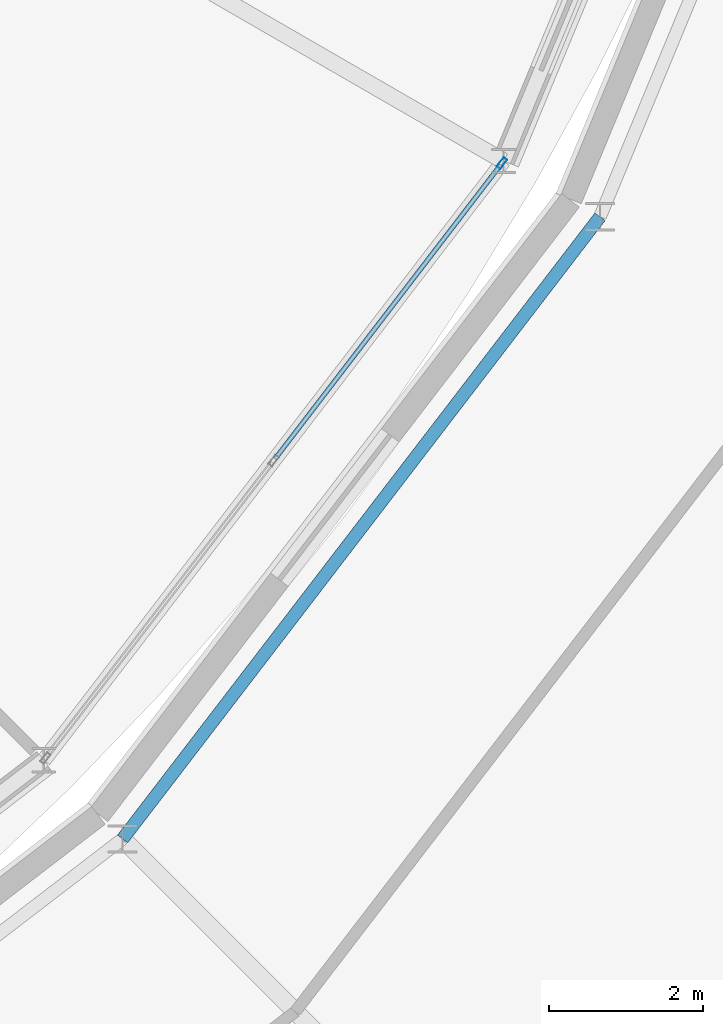
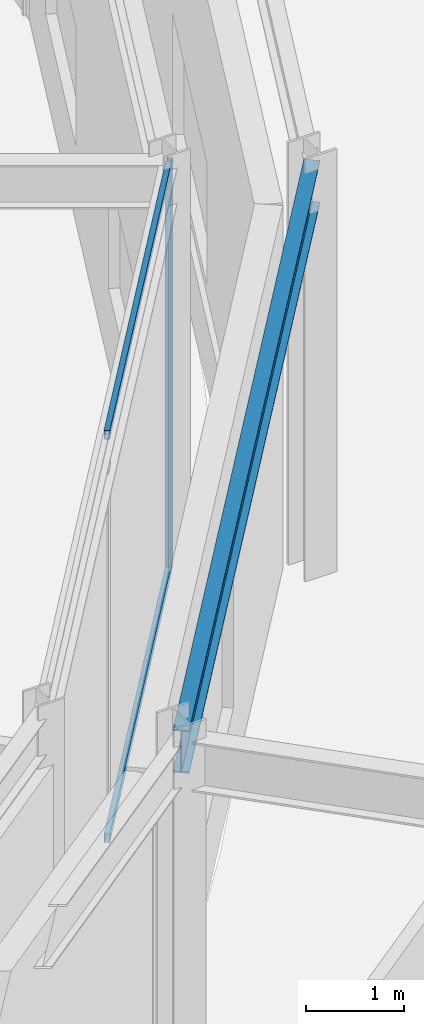
# One storey, part 52 of 168: 3 members, 1 beam, 1 element without a shape of its own.
"""IFC4 building model written with IfcOpenShell, lengths in metres."""

from ifc_helpers import new_model, si_unit, direction, frame, origin, origin_2d, place, context, subcontext, project, spatial, hollow_rectangle, i_section, extrude, material, material_profile, profile_set, type_object, element, aggregate, save


model = new_model("IFC4")

# Units and contexts
model_context = context("Model", 3, precision=1e-05, world=origin(), true_north=direction((0.0, 1.0)))
body_context = subcontext(model_context, "Body", "Model", "MODEL_VIEW")
ifc_project = project(units=[si_unit("LENGTHUNIT", "METRE"), si_unit("AREAUNIT", "SQUARE_METRE"), si_unit("VOLUMEUNIT", "CUBIC_METRE"), si_unit("PLANEANGLEUNIT", "RADIAN"), si_unit("MASSUNIT", "GRAM", prefix="KILO")], contexts=[model_context])

# Site, building, storey
site_placement = place(None, origin())
site = spatial("IfcSite", under=ifc_project, at=site_placement, CompositionType="ELEMENT")
building_placement = place(site_placement, origin())
building = spatial("IfcBuilding", under=site, at=building_placement, Name="Almandine Court Research Institute", CompositionType="ELEMENT")
storey_placement = place(building_placement, origin())
storey = spatial("IfcBuildingStorey", under=building, at=storey_placement, Name="L00", CompositionType="ELEMENT", Elevation=0.0)

# Beam
ifc_material_1 = material(Name="Steel ASTM A992 Grade 50", Category="steel")
ifc_material_profile_1 = material_profile(ifc_material_1, i_section(OverallWidth=0.166015625, OverallDepth=0.534912109375, WebThickness=0.010009765625, FlangeThickness=0.01708984375, at=origin_2d()), Name="W530x85")
ifc_profile_set_1 = profile_set([ifc_material_profile_1], Name="Steel ASTM A992 Grade 50")
beam_type = type_object("IfcBeamType", Name="Beam-G-05-E", PredefinedType="SPANDREL", material=ifc_profile_set_1)
beam_placement = place(storey_placement, frame((114.64794921875, 28.35205078125, 4.802978515625), z_axis=(0.608784478787, 0.793335653042, 0.0), x_axis=(-0.793335653042, 0.608784478787, 0.0)))
element("IfcBeam", 1, at=beam_placement, inside=storey, type_object=beam_type, Name="L00 Drum IN Ring Beam 21", PredefinedType="SPANDREL", context=body_context, shape_type="SweptSolid", body=[
    extrude(i_section(OverallWidth=0.166015625, OverallDepth=0.534912109375, WebThickness=0.010009765625, FlangeThickness=0.01708984375, at=origin_2d()), origin(), (0.0, 0.0, 1.0), 10.20751953125),
])

# Curtain wall, members
ifc_material_2 = material(Name="Unitised Curtain Wall Framing and Solar Glazing", Category="glass")
curtain_wall_type = type_object("IfcCurtainWallType", Name="CW-CWG-23", PredefinedType="USERDEFINED", material=ifc_material_2)
curtain_wall_placement = place(storey_placement, origin())
curtain_wall = element("IfcCurtainWall", 2, at=curtain_wall_placement, inside=storey, type_object=curtain_wall_type, Name="L00 Interaction Atrium Perimeter Curtain Wall 21", ObjectType="UNITISED GLAZING", PredefinedType="USERDEFINED")
ifc_material_3 = material(Name="Anodised Aluminium AW-6063-T6", Category="aluminium")
ifc_material_profile_2 = material_profile(ifc_material_3, hollow_rectangle(XDim=0.06005859375, YDim=0.14990234375, WallThickness=0.00390625, at=origin_2d()), Name="ALU RHS 60x150x4")
ifc_profile_set_2 = profile_set([ifc_material_profile_2], Name="Anodised Aluminium AW-6063-T6")
member_type_1 = type_object("IfcMemberType", Name="CWMul-60x150", PredefinedType="MULLION", material=ifc_profile_set_2)
member_1_placement = place(storey_placement, frame((119.585693359375, 37.148193359375, 0.0), z_axis=(0.0, 0.0, 1.0), x_axis=(0.793353924979, -0.608760667029, 0.0)))
member_1 = element("IfcMember", 3, at=member_1_placement, type_object=member_type_1, Name="CWG-23 mullion 1", PredefinedType="MULLION", context=body_context, shape_type="SweptSolid", body=[
    extrude(hollow_rectangle(XDim=0.06005859375, YDim=0.14990234375, WallThickness=0.00390625, at=origin_2d()), origin(), (0.0, 0.0, 1.0), 5.070068359375),
])
ifc_material_profile_3 = material_profile(ifc_material_3, hollow_rectangle(XDim=0.06005859375, YDim=0.110107421875, WallThickness=0.00390625, at=origin_2d()), Name="ALU RHS 60x110x4")
ifc_profile_set_3 = profile_set([ifc_material_profile_3], Name="Anodised Aluminium AW-6063-T6")
member_type_2 = type_object("IfcMemberType", Name="CWTrn-60x110", PredefinedType="NOTDEFINED", material=ifc_profile_set_3)
member_2_placement = place(storey_placement, frame((119.5673828125, 37.12451171875, 0.030029296875), z_axis=(-0.608731319349, -0.793376443338, 0.0), x_axis=(0.793376443338, -0.608731319349, 0.0)))
member_2 = element("IfcMember", 4, at=member_2_placement, type_object=member_type_2, Name="CWG-23 transom 1.1", ObjectType="TRANSOM", PredefinedType="USERDEFINED", context=body_context, shape_type="SweptSolid", body=[
    extrude(hollow_rectangle(XDim=0.06005859375, YDim=0.110107421875, WallThickness=0.00390625, at=origin_2d()), origin(), (0.0, 0.0, 1.0), 4.82080078125),
])
member_3_placement = place(storey_placement, frame((119.5673828125, 37.12451171875, 5.0400390625), z_axis=(-0.608731319349, -0.793376443338, 0.0), x_axis=(0.793376443338, -0.608731319349, 0.0)))
member_3 = element("IfcMember", 5, at=member_3_placement, type_object=member_type_2, Name="CWG-23 transom 1.2", ObjectType="TRANSOM", PredefinedType="USERDEFINED", context=body_context, shape_type="SweptSolid", body=[
    extrude(hollow_rectangle(XDim=0.06005859375, YDim=0.110107421875, WallThickness=0.00390625, at=origin_2d()), origin(), (0.0, 0.0, 1.0), 4.82080078125),
])
aggregate(curtain_wall, [member_1, member_2, member_3])

save(model, "model.ifc")
